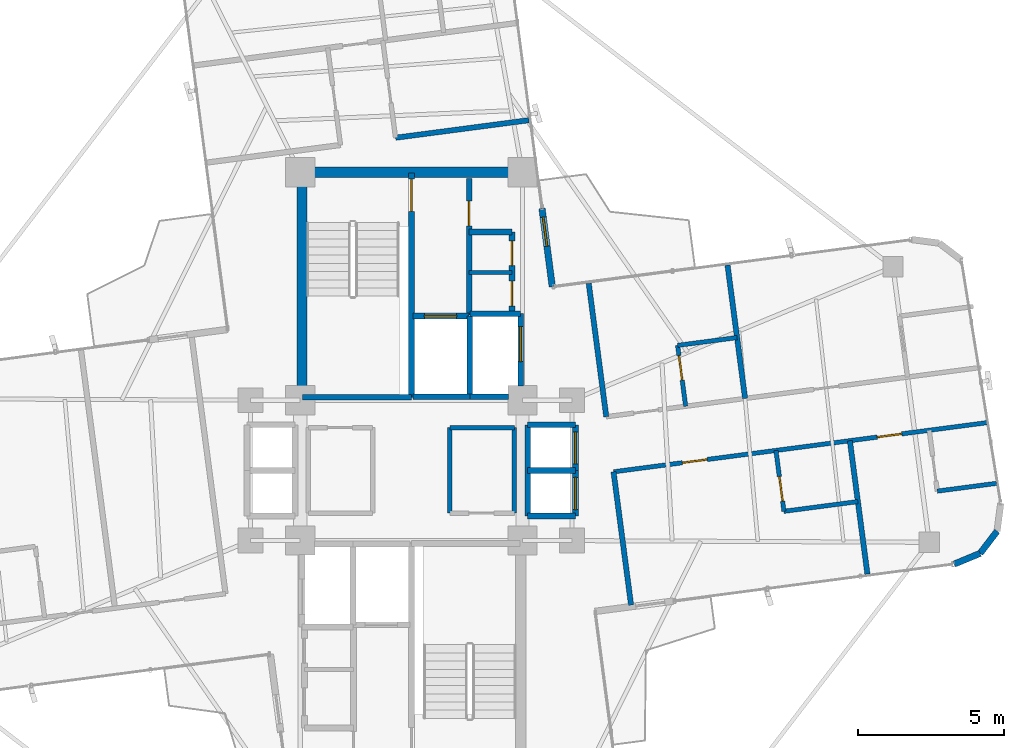
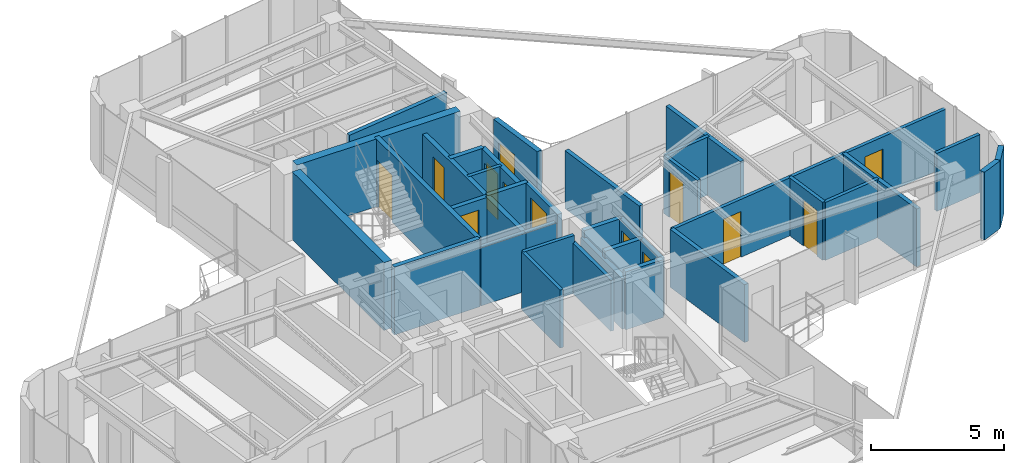
# One storey, part 20 of 22: 37 walls, 13 doors, 13 openings.
"""IFC4 building model written with IfcOpenShell, lengths in metres."""

from ifc_helpers import new_model, si_unit, direction, frame, frame_2d, origin, origin_2d, place, context, subcontext, project, spatial, rectangle, extrude, source, transform, mapped, material, layer, layer_set, type_object, element, fill, save


model = new_model("IFC4")

# Units and contexts
model_context = context("Model", 3, precision=1e-05, world=origin(), true_north=direction((0.0, 1.0)))
body_context = subcontext(model_context, "Body", "Model", "MODEL_VIEW")
ifc_project = project(units=[si_unit("LENGTHUNIT", "METRE"), si_unit("AREAUNIT", "SQUARE_METRE"), si_unit("VOLUMEUNIT", "CUBIC_METRE"), si_unit("PLANEANGLEUNIT", "RADIAN"), si_unit("MASSUNIT", "GRAM", prefix="KILO")], contexts=[model_context])

# Site, building, storey
site_placement = place(None, origin())
site = spatial("IfcSite", under=ifc_project, at=site_placement, CompositionType="ELEMENT")
building_placement = place(site_placement, origin())
building = spatial("IfcBuilding", under=site, at=building_placement, Name="Sahyath Konkavel Grand Hotel", CompositionType="ELEMENT")
storey_placement = place(building_placement, frame((0.0, 0.0, 272.449951171875)))
storey = spatial("IfcBuildingStorey", under=building, at=storey_placement, Name="L76", CompositionType="ELEMENT", Elevation=272.449951171875)

# Walls
ifc_material_1 = material(Name="Concrete C40/50", Category="concrete")
ifc_layer_1 = layer(ifc_material_1, 0.35009765625)
ifc_layer_set_1 = layer_set([ifc_layer_1], Name="Concrete C40/50")
wall_type_1 = type_object("IfcWallType", Name="CWALL-350", PredefinedType="SHEAR", material=ifc_layer_set_1)
wall_1_placement = place(storey_placement, frame((-3.550048828125, 10.199951171875, 0.0), z_axis=(0.0, 0.0, 1.0), x_axis=(1.0, 0.0, 0.0)))
element("IfcWall", 1, at=wall_1_placement, inside=storey, type_object=wall_type_1, Name="L76 North Core Shear Wall N", PredefinedType="SHEAR", context=body_context, shape_type="SweptSolid", body=[
    extrude(rectangle(XDim=7.10009765625, YDim=0.35009765625, at=frame_2d((3.550048828125, 0.0))), origin(), (0.0, 0.0, 1.0), 3.110107421875),
])
wall_2_placement = place(storey_placement, frame((-3.739990234375, 2.85009765625, 0.0), z_axis=(0.0, 0.0, 1.0), x_axis=(0.0, 1.0, 0.0)))
element("IfcWall", 2, at=wall_2_placement, inside=storey, type_object=wall_type_1, Name="L76 North Core Shear Wall W", PredefinedType="SHEAR", context=body_context, shape_type="SweptSolid", body=[
    extrude(rectangle(XDim=6.89990234375, YDim=0.35009765625, at=frame_2d((3.449951171875, 0.0))), origin(), (0.0, 0.0, 1.0), 3.110107421875),
])
ifc_material_2 = material(Name="Warm Buff Sandstone Insulated Concrete C40/50", Category="masonry")
ifc_layer_2 = layer(ifc_material_2, 0.219970703125)
ifc_layer_set_2 = layer_set([ifc_layer_2], Name="Warm Buff Sandstone Insulated Concrete C40/50")
wall_type_2 = type_object("IfcWallType", Name="WLL-BALC-THRESH", PredefinedType="STANDARD", material=ifc_layer_set_2)
wall_3_placement = place(storey_placement, frame((18.56689453125, -3.203857421875, 0.0), z_axis=(0.0, 0.0, 1.0), x_axis=(0.923926759112, 0.382569397359, 0.0)))
element("IfcWall", 3, at=wall_3_placement, inside=storey, type_object=wall_type_2, Name="L76 Rounded Corner Sandstone Pier 1", PredefinedType="STANDARD", context=body_context, shape_type="SweptSolid", body=[
    extrude(rectangle(XDim=0.957763671875, YDim=0.219970703125, at=frame_2d((0.47900390625, 0.0))), origin(), (0.0, 0.0, 1.0), 3.110107421875),
])
wall_4_placement = place(storey_placement, frame((19.451904296875, -2.83740234375, 0.0), z_axis=(0.0, 0.0, 1.0), x_axis=(0.60861352168, 0.793466811674, 0.0)))
element("IfcWall", 4, at=wall_4_placement, inside=storey, type_object=wall_type_2, Name="L76 Rounded Corner Sandstone Pier 2", PredefinedType="STANDARD", context=body_context, shape_type="SweptSolid", body=[
    extrude(rectangle(XDim=0.95751953125, YDim=0.219970703125, at=frame_2d((0.478759765625, 0.0))), origin(), (0.0, 0.0, 1.0), 3.110107421875),
])

# Wall, opening, door
wall_5_placement = place(storey_placement, frame((4.821044921875, 6.282958984375, 0.0), z_axis=(0.0, 0.0, 1.0), x_axis=(-0.130475563272, 0.991451525486, 0.0)))
wall_5 = element("IfcWall", 5, at=wall_5_placement, inside=storey, type_object=wall_type_2, Name="L76 Winter-Garden Threshold Wall 8", PredefinedType="STANDARD", context=body_context, shape_type="SweptSolid", body=[
    extrude(rectangle(XDim=2.7001953125, YDim=0.219970703125, at=frame_2d((1.35009765625, 0.0))), origin(), (0.0, 0.0, 1.0), 3.110107421875),
])
opening_1_placement = place(wall_5_placement, frame((1.39990234375, 0.0, 0.0)))
opening_1 = element("IfcOpeningElement", 6, at=opening_1_placement, cuts=wall_5, Name="Opening D-TR1", PredefinedType="OPENING", context=body_context, shape_type="SweptSolid", body=[
    extrude(rectangle(XDim=1.0, YDim=2.199951171875, at=frame_2d((0.5, 1.10009765625))), frame((0.0, 0.1201171875, 0.0), z_axis=(0.0, -1.0, 0.0), x_axis=(1.0, 0.0, 0.0)), (0.0, 0.0, 1.0), 0.239990234375),
])
ifc_material_3 = material(Name="Anodised Bronze Aluminium & Low-E Glazing", Category="aluminium")
door_type_1 = type_object("IfcDoorType", Name="DR-TERRACE-1000", OperationType="NOTDEFINED", PredefinedType="DOOR", material=ifc_material_3)
shared_shape_1 = source(origin(), body_context, "Body", "SweptSolid", [
    extrude(rectangle(XDim=1.0, YDim=0.050048828125, at=origin_2d()), origin(), (0.0, 0.0, 1.0), 2.199951171875),
])
door_1_placement = place(opening_1_placement, frame((0.5, 0.0, 0.0)))
door_1 = element("IfcDoor", 7, at=door_1_placement, inside=storey, type_object=door_type_1, Name="L76 Winter-Garden Terrace Door 8", OperationType="SINGLE_SWING_LEFT", OverallHeight=2.199951171875, OverallWidth=1.0, PredefinedType="DOOR", context=body_context, shape_type="MappedRepresentation", body=[
    mapped(shared_shape_1, transform((0.0, 0.0, 0.0), scale=1.0)),
])
fill(opening_1, door_1)

ifc_layer_3 = layer(ifc_material_1, 0.199951171875)
ifc_layer_set_3 = layer_set([ifc_layer_3], Name="Concrete C40/50")
wall_type_3 = type_object("IfcWallType", Name="WLL-CORE-200", PredefinedType="SOLIDWALL", material=ifc_layer_set_3)
wall_6_placement = place(storey_placement, frame((0.0, 2.5, 0.0), z_axis=(0.0, 0.0, 1.0), x_axis=(0.0, 1.0, 0.0)))
wall_6 = element("IfcWall", 8, at=wall_6_placement, inside=storey, type_object=wall_type_3, Name="L76 Stair ST-1 Shaft Wall E", PredefinedType="SOLIDWALL", context=body_context, shape_type="SweptSolid", body=[
    extrude(rectangle(XDim=7.679931640625, YDim=0.199951171875, at=frame_2d((3.83984375, 0.0))), origin(), (0.0, 0.0, 1.0), 3.110107421875),
])
opening_2_placement = place(wall_6_placement, frame((6.360107421875, 0.0, 0.0)))
opening_2 = element("IfcOpeningElement", 9, at=opening_2_placement, cuts=wall_6, Name="Opening D-F12B", PredefinedType="OPENING", context=body_context, shape_type="SweptSolid", body=[
    extrude(rectangle(XDim=1.10009765625, YDim=2.14990234375, at=frame_2d((0.550048828125, 1.074951171875))), frame((0.0, 0.10986328125, 0.0), z_axis=(0.0, -1.0, 0.0), x_axis=(1.0, 0.0, 0.0)), (0.0, 0.0, 1.0), 0.219970703125),
])
ifc_material_4 = material(Name="Steel E350 Smokeproof Fire Door", Category="steel")
door_type_2 = type_object("IfcDoorType", Name="DR-FD120-1100", OperationType="NOTDEFINED", PredefinedType="DOOR", material=ifc_material_4)
shared_shape_2 = source(origin(), body_context, "Body", "SweptSolid", [
    extrude(rectangle(XDim=1.10009765625, YDim=0.050048828125, at=origin_2d()), origin(), (0.0, 0.0, 1.0), 2.14990234375),
])
door_2_placement = place(opening_2_placement, frame((0.550048828125, 0.0, 0.0)))
door_2 = element("IfcDoor", 10, at=door_2_placement, inside=storey, type_object=door_type_2, Name="L76 Stair ST-1 Fire Door", OperationType="SINGLE_SWING_RIGHT", OverallHeight=2.14990234375, OverallWidth=1.10009765625, PredefinedType="DOOR", context=body_context, shape_type="MappedRepresentation", body=[
    mapped(shared_shape_2, transform((0.0, 0.0, 0.0), scale=1.0)),
])
fill(opening_2, door_2)

# Wall
wall_7_placement = place(storey_placement, frame((-3.719970703125, 2.5, 0.0), z_axis=(0.0, 0.0, 1.0), x_axis=(1.0, 0.0, 0.0)))
element("IfcWall", 11, at=wall_7_placement, inside=storey, type_object=wall_type_3, Name="L76 Stair ST-1 Shaft Wall S", PredefinedType="SOLIDWALL", context=body_context, shape_type="SweptSolid", body=[
    extrude(rectangle(XDim=3.719970703125, YDim=0.199951171875, at=frame_2d((1.85986328125, 0.0))), origin(), (0.0, 0.0, 1.0), 3.110107421875),
])

# Wall, opening, door
wall_8_placement = place(storey_placement, frame((1.97998046875, 5.320068359375, 0.0), z_axis=(0.0, 0.0, 1.0), x_axis=(0.0, 1.0, 0.0)))
wall_8 = element("IfcWall", 12, at=wall_8_placement, inside=storey, type_object=wall_type_3, Name="L76 North Firefighting Lobby Wall E", PredefinedType="SOLIDWALL", context=body_context, shape_type="SweptSolid", body=[
    extrude(rectangle(XDim=4.659912109375, YDim=0.199951171875, at=frame_2d((2.330078125, 0.0))), origin(), (0.0, 0.0, 1.0), 2.66015625),
])
opening_3_placement = place(wall_8_placement, frame((3.0400390625, 0.0, 0.0)))
opening_3 = element("IfcOpeningElement", 13, at=opening_3_placement, cuts=wall_8, Name="Opening D-F12D", PredefinedType="OPENING", context=body_context, shape_type="SweptSolid", body=[
    extrude(rectangle(XDim=0.85009765625, YDim=2.10009765625, at=frame_2d((0.425048828125, 1.050048828125))), frame((0.0, 0.10986328125, 0.0), z_axis=(0.0, -1.0, 0.0), x_axis=(1.0, 0.0, 0.0)), (0.0, 0.0, 1.0), 0.219970703125),
])
ifc_material_5 = material(Name="Steel E350 Core Fire Door", Category="steel")
door_type_3 = type_object("IfcDoorType", Name="DR-FD120-850", OperationType="NOTDEFINED", PredefinedType="DOOR", material=ifc_material_5)
shared_shape_3 = source(origin(), body_context, "Body", "SweptSolid", [
    extrude(rectangle(XDim=0.85009765625, YDim=0.050048828125, at=origin_2d()), origin(), (0.0, 0.0, 1.0), 2.10009765625),
])
door_3_placement = place(opening_3_placement, frame((0.425048828125, 0.0, 0.0)))
door_3 = element("IfcDoor", 14, at=door_3_placement, inside=storey, type_object=door_type_3, Name="L76 North Firefighting Lobby Door", OperationType="SINGLE_SWING_RIGHT", OverallHeight=2.10009765625, OverallWidth=0.85009765625, PredefinedType="DOOR", context=body_context, shape_type="MappedRepresentation", body=[
    mapped(shared_shape_3, transform((0.0, 0.0, 0.0), scale=1.0)),
])
fill(opening_3, door_3)

# Walls
wall_9_placement = place(storey_placement, frame((2.0, 2.5, 0.0), z_axis=(0.0, 0.0, 1.0), x_axis=(0.0, 1.0, 0.0)))
element("IfcWall", 15, at=wall_9_placement, inside=storey, type_object=wall_type_3, Name="L76 Partition SH-FFL1-E", PredefinedType="SOLIDWALL", context=body_context, shape_type="SweptSolid", body=[
    extrude(rectangle(XDim=2.780029296875, YDim=0.199951171875, at=frame_2d((1.39013671875, 0.0))), origin(), (0.0, 0.0, 1.0), 2.66015625),
])
wall_10_placement = place(storey_placement, frame((0.050048828125, 2.52001953125, 0.0), z_axis=(0.0, 0.0, 1.0), x_axis=(1.0, 0.0, 0.0)))
element("IfcWall", 16, at=wall_10_placement, inside=storey, type_object=wall_type_3, Name="L76 Partition SH-FFL1-S", PredefinedType="SOLIDWALL", context=body_context, shape_type="SweptSolid", body=[
    extrude(rectangle(XDim=1.949951171875, YDim=0.199951171875, at=frame_2d((0.97509765625, 0.0))), origin(), (0.0, 0.0, 1.0), 2.66015625),
])

# Wall, opening, door
wall_11_placement = place(storey_placement, frame((0.050048828125, 5.280029296875, 0.0), z_axis=(0.0, 0.0, 1.0), x_axis=(1.0, 0.0, 0.0)))
wall_11 = element("IfcWall", 17, at=wall_11_placement, inside=storey, type_object=wall_type_3, Name="L76 Partition SH-FFL1-N", PredefinedType="SOLIDWALL", context=body_context, shape_type="SweptSolid", body=[
    extrude(rectangle(XDim=1.929931640625, YDim=0.199951171875, at=frame_2d((0.96484375, 0.0))), origin(), (0.0, 0.0, 1.0), 2.66015625),
])
opening_4_placement = place(wall_11_placement, frame((0.39990234375, 0.0, 0.0)))
opening_4 = element("IfcOpeningElement", 18, at=opening_4_placement, cuts=wall_11, Name="Opening LD-11", PredefinedType="OPENING", context=body_context, shape_type="SweptSolid", body=[
    extrude(rectangle(XDim=1.10009765625, YDim=2.199951171875, at=frame_2d((0.550048828125, 1.10009765625))), frame((0.0, 0.10986328125, 0.0), z_axis=(0.0, -1.0, 0.0), x_axis=(1.0, 0.0, 0.0)), (0.0, 0.0, 1.0), 0.219970703125),
])
ifc_material_6 = material(Name="Bronze Lift Landing Door 1100")
door_type_4 = type_object("IfcDoorType", Name="DR-LIFT-1100", OperationType="DOUBLE_DOOR_SLIDING", PredefinedType="DOOR", material=ifc_material_6)
shared_shape_4 = source(origin(), body_context, "Body", "SweptSolid", [
    extrude(rectangle(XDim=1.10009765625, YDim=0.050048828125, at=origin_2d()), origin(), (0.0, 0.0, 1.0), 2.199951171875),
])
door_4_placement = place(opening_4_placement, frame((0.550048828125, 0.0, 0.0)))
door_4 = element("IfcDoor", 19, at=door_4_placement, inside=storey, type_object=door_type_4, Name="L76 Lift FFL-1 Landing Door", OperationType="DOUBLE_DOOR_SLIDING", OverallHeight=2.199951171875, OverallWidth=1.10009765625, PredefinedType="DOOR", context=body_context, shape_type="MappedRepresentation", body=[
    mapped(shared_shape_4, transform((0.0, 0.0, 0.0), scale=1.0)),
])
fill(opening_4, door_4)

# Walls
wall_12_placement = place(storey_placement, frame((2.0, 2.52001953125, 0.0), z_axis=(0.0, 0.0, 1.0), x_axis=(1.0, 0.0, 0.0)))
element("IfcWall", 20, at=wall_12_placement, inside=storey, type_object=wall_type_3, Name="L76 Partition SH-SVL1-S", PredefinedType="SOLIDWALL", context=body_context, shape_type="SweptSolid", body=[
    extrude(rectangle(XDim=1.320068359375, YDim=0.199951171875, at=frame_2d((0.66015625, 0.0))), origin(), (0.0, 0.0, 1.0), 2.66015625),
])
wall_13_placement = place(storey_placement, frame((2.0, 5.360107421875, 0.0), z_axis=(0.0, 0.0, 1.0), x_axis=(1.0, 0.0, 0.0)))
element("IfcWall", 21, at=wall_13_placement, inside=storey, type_object=wall_type_3, Name="L76 Partition SH-SVL1-N", PredefinedType="SOLIDWALL", context=body_context, shape_type="SweptSolid", body=[
    extrude(rectangle(XDim=1.739990234375, YDim=0.199951171875, at=frame_2d((0.8701171875, 0.0))), origin(), (0.0, 0.0, 1.0), 2.66015625),
])

# Wall, opening, door
wall_14_placement = place(storey_placement, frame((3.739990234375, 2.8798828125, 0.0), z_axis=(0.0, 0.0, 1.0), x_axis=(0.0, 1.0, 0.0)))
wall_14 = element("IfcWall", 22, at=wall_14_placement, inside=storey, type_object=wall_type_3, Name="L76 Partition SH-SVL1-E", PredefinedType="SOLIDWALL", context=body_context, shape_type="SweptSolid", body=[
    extrude(rectangle(XDim=2.480224609375, YDim=0.199951171875, at=frame_2d((1.240234375, 0.0))), origin(), (0.0, 0.0, 1.0), 2.66015625),
])
opening_5_placement = place(wall_14_placement, frame((0.840087890625, 0.0, 0.0)))
opening_5 = element("IfcOpeningElement", 23, at=opening_5_placement, cuts=wall_14, Name="Opening LD-12", PredefinedType="OPENING", context=body_context, shape_type="SweptSolid", body=[
    extrude(rectangle(XDim=1.199951171875, YDim=2.199951171875, at=frame_2d((0.60009765625, 1.10009765625))), frame((0.0, 0.10986328125, 0.0), z_axis=(0.0, -1.0, 0.0), x_axis=(1.0, 0.0, 0.0)), (0.0, 0.0, 1.0), 0.219970703125),
])
ifc_material_7 = material(Name="Stainless Steel Lift Landing Door 1200", Category="steel")
door_type_5 = type_object("IfcDoorType", Name="DR-LIFT-1200", OperationType="DOUBLE_DOOR_SLIDING", PredefinedType="DOOR", material=ifc_material_7)
shared_shape_5 = source(origin(), body_context, "Body", "SweptSolid", [
    extrude(rectangle(XDim=1.199951171875, YDim=0.050048828125, at=origin_2d()), origin(), (0.0, 0.0, 1.0), 2.199951171875),
])
door_5_placement = place(opening_5_placement, frame((0.60009765625, 0.0, 0.0)))
door_5 = element("IfcDoor", 24, at=door_5_placement, inside=storey, type_object=door_type_5, Name="L76 Service Lift SVL-1 Landing Door", OperationType="DOUBLE_DOOR_SLIDING", OverallHeight=2.199951171875, OverallWidth=1.199951171875, PredefinedType="DOOR", context=body_context, shape_type="MappedRepresentation", body=[
    mapped(shared_shape_5, transform((0.0, 0.0, 0.0), scale=1.0)),
])
fill(opening_5, door_5)

# Walls
wall_15_placement = place(storey_placement, frame((3.97998046875, -1.56005859375, 0.0), z_axis=(0.0, 0.0, 1.0), x_axis=(0.0, 1.0, 0.0)))
element("IfcWall", 25, at=wall_15_placement, inside=storey, type_object=wall_type_3, Name="L76 Partition SH-PL56-W", PredefinedType="SOLIDWALL", context=body_context, shape_type="SweptSolid", body=[
    extrude(rectangle(XDim=3.1201171875, YDim=0.199951171875, at=frame_2d((1.56005859375, 0.0))), origin(), (0.0, 0.0, 1.0), 2.330078125),
])
for number, where, z_axis, x_axis, name in (
    (26, (3.97998046875, 1.56005859375, 0.0), (0.0, 0.0, 1.0), (1.0, 0.0, 0.0), "L76 Partition SH-PL56-N"),
    (27, (3.97998046875, -1.56005859375, 0.0), (0.0, 0.0, 1.0), (1.0, 0.0, 0.0), "L76 Partition SH-PL56-S"),
    (28, (3.97998046875, 0.0, 0.0), (0.0, 0.0, 1.0), (1.0, 0.0, 0.0), "L76 Partition SH-PL56-M"),
):
    element("IfcWall", number, at=place(storey_placement, frame(where, z_axis=z_axis, x_axis=x_axis)), inside=storey, type_object=wall_type_3, Name=name, PredefinedType="SOLIDWALL", context=body_context, shape_type="SweptSolid", body=[
        extrude(rectangle(XDim=1.64013671875, YDim=0.199951171875, at=frame_2d((0.820068359375, 0.0))), origin(), (0.0, 0.0, 1.0), 2.66015625),
    ])

# Wall, opening, door
wall_16_placement = place(storey_placement, frame((5.6201171875, 0.0, 0.0), z_axis=(0.0, 0.0, 1.0), x_axis=(0.0, 1.0, 0.0)))
wall_16 = element("IfcWall", 29, at=wall_16_placement, inside=storey, type_object=wall_type_3, Name="L76 Partition SH-PL5-E", PredefinedType="SOLIDWALL", context=body_context, shape_type="SweptSolid", body=[
    extrude(rectangle(XDim=1.56005859375, YDim=0.199951171875, at=frame_2d((0.780029296875, 0.0))), origin(), (0.0, 0.0, 1.0), 2.66015625),
])
opening_6_placement = place(wall_16_placement, frame((0.219970703125, 0.0, 0.0)))
opening_6 = element("IfcOpeningElement", 30, at=opening_6_placement, cuts=wall_16, Name="Opening LD-11", PredefinedType="OPENING", context=body_context, shape_type="SweptSolid", body=[
    extrude(rectangle(XDim=1.10009765625, YDim=2.199951171875, at=frame_2d((0.550048828125, 1.10009765625))), frame((0.0, 0.10986328125, 0.0), z_axis=(0.0, -1.0, 0.0), x_axis=(1.0, 0.0, 0.0)), (0.0, 0.0, 1.0), 0.219970703125),
])
door_6_placement = place(opening_6_placement, frame((0.550048828125, 0.0, 0.0)))
door_6 = element("IfcDoor", 31, at=door_6_placement, inside=storey, type_object=door_type_4, Name="L76 High-Rise Lift PL-5 Landing Door", OperationType="DOUBLE_DOOR_SLIDING", OverallHeight=2.199951171875, OverallWidth=1.10009765625, PredefinedType="DOOR", context=body_context, shape_type="MappedRepresentation", body=[
    mapped(shared_shape_4, transform((0.0, 0.0, 0.0), scale=1.0)),
])
fill(opening_6, door_6)

wall_17_placement = place(storey_placement, frame((5.6201171875, -1.56005859375, 0.0), z_axis=(0.0, 0.0, 1.0), x_axis=(0.0, 1.0, 0.0)))
wall_17 = element("IfcWall", 32, at=wall_17_placement, inside=storey, type_object=wall_type_3, Name="L76 Partition SH-PL6-E", PredefinedType="SOLIDWALL", context=body_context, shape_type="SweptSolid", body=[
    extrude(rectangle(XDim=1.56005859375, YDim=0.199951171875, at=frame_2d((0.780029296875, 0.0))), origin(), (0.0, 0.0, 1.0), 2.66015625),
])
opening_7_placement = place(wall_17_placement, frame((0.219970703125, 0.0, 0.0)))
opening_7 = element("IfcOpeningElement", 33, at=opening_7_placement, cuts=wall_17, Name="Opening LD-11", PredefinedType="OPENING", context=body_context, shape_type="SweptSolid", body=[
    extrude(rectangle(XDim=1.10009765625, YDim=2.199951171875, at=frame_2d((0.550048828125, 1.10009765625))), frame((0.0, 0.10986328125, 0.0), z_axis=(0.0, -1.0, 0.0), x_axis=(1.0, 0.0, 0.0)), (0.0, 0.0, 1.0), 0.219970703125),
])
door_7_placement = place(opening_7_placement, frame((0.550048828125, 0.0, 0.0)))
door_7 = element("IfcDoor", 34, at=door_7_placement, inside=storey, type_object=door_type_4, Name="L76 High-Rise Lift PL-6 Landing Door", OperationType="DOUBLE_DOOR_SLIDING", OverallHeight=2.199951171875, OverallWidth=1.10009765625, PredefinedType="DOOR", context=body_context, shape_type="MappedRepresentation", body=[
    mapped(shared_shape_4, transform((0.0, 0.0, 0.0), scale=1.0)),
])
fill(opening_7, door_7)

# Wall, openings, doors
wall_18_placement = place(storey_placement, frame((3.43994140625, 5.3798828125, 0.0), z_axis=(0.0, 0.0, 1.0), x_axis=(0.0, 1.0, 0.0)))
wall_18 = element("IfcWall", 35, at=wall_18_placement, inside=storey, type_object=wall_type_3, Name="L76 Reclaimed North Core Wall E", PredefinedType="SOLIDWALL", context=body_context, shape_type="SweptSolid", body=[
    extrude(rectangle(XDim=2.77001953125, YDim=0.199951171875, at=frame_2d((1.385009765625, 0.0))), origin(), (0.0, 0.0, 1.0), 2.66015625),
])
opening_8_placement = place(wall_18_placement, frame((0.239990234375, 0.0, 0.0)))
opening_8 = element("IfcOpeningElement", 36, at=opening_8_placement, cuts=wall_18, Name="Opening D-F06D", PredefinedType="OPENING", context=body_context, shape_type="SweptSolid", body=[
    extrude(rectangle(XDim=0.85009765625, YDim=2.10009765625, at=frame_2d((0.425048828125, 1.050048828125))), frame((0.0, 0.10986328125, 0.0), z_axis=(0.0, -1.0, 0.0), x_axis=(1.0, 0.0, 0.0)), (0.0, 0.0, 1.0), 0.219970703125),
])
opening_9_placement = place(wall_18_placement, frame((1.6201171875, 0.0, 0.0)))
opening_9 = element("IfcOpeningElement", 37, at=opening_9_placement, cuts=wall_18, Name="Opening D-F06D", PredefinedType="OPENING", context=body_context, shape_type="SweptSolid", body=[
    extrude(rectangle(XDim=0.85009765625, YDim=2.10009765625, at=frame_2d((0.425048828125, 1.050048828125))), frame((0.0, 0.10986328125, 0.0), z_axis=(0.0, -1.0, 0.0), x_axis=(1.0, 0.0, 0.0)), (0.0, 0.0, 1.0), 0.219970703125),
])
ifc_material_8 = material(Name="Fire-Rated Shaft Access Door")
door_type_6 = type_object("IfcDoorType", Name="DR-FD60-850", OperationType="NOTDEFINED", PredefinedType="DOOR", material=ifc_material_8)
door_8_placement = place(opening_8_placement, frame((0.425048828125, 0.0, 0.0)))
door_8 = element("IfcDoor", 38, at=door_8_placement, inside=storey, type_object=door_type_6, Name="L76 Door NC-REC1-D", OperationType="SINGLE_SWING_RIGHT", OverallHeight=2.10009765625, OverallWidth=0.85009765625, PredefinedType="DOOR", context=body_context, shape_type="MappedRepresentation", body=[
    mapped(shared_shape_3, transform((0.0, 0.0, 0.0), scale=1.0)),
])
fill(opening_8, door_8)
door_9_placement = place(opening_9_placement, frame((0.425048828125, 0.0, 0.0)))
door_9 = element("IfcDoor", 39, at=door_9_placement, inside=storey, type_object=door_type_6, Name="L76 Door NC-REC2-D", OperationType="SINGLE_SWING_LEFT", OverallHeight=2.10009765625, OverallWidth=0.85009765625, PredefinedType="DOOR", context=body_context, shape_type="MappedRepresentation", body=[
    mapped(shared_shape_3, transform((0.0, 0.0, 0.0), scale=1.0)),
])
fill(opening_9, door_9)

# Walls
wall_19_placement = place(storey_placement, frame((1.97998046875, 8.14990234375, 0.0), z_axis=(0.0, 0.0, 1.0), x_axis=(1.0, 0.0, 0.0)))
element("IfcWall", 40, at=wall_19_placement, inside=storey, type_object=wall_type_3, Name="L76 Partition NC-REC-N", PredefinedType="SOLIDWALL", context=body_context, shape_type="SweptSolid", body=[
    extrude(rectangle(XDim=1.4599609375, YDim=0.199951171875, at=frame_2d((0.72998046875, 0.0))), origin(), (0.0, 0.0, 1.0), 2.66015625),
])
ifc_material_9 = material(Name="Twin-Stud Acoustic Gypsum Plasterboard Partition")
ifc_layer_4 = layer(ifc_material_9, 0.179931640625)
ifc_layer_set_4 = layer_set([ifc_layer_4], Name="Twin-Stud Acoustic Gypsum Plasterboard Partition")
wall_type_4 = type_object("IfcWallType", Name="WLL-DEMISE-180", PredefinedType="PARTITIONING", material=ifc_layer_set_4)
for number, where, z_axis, x_axis, name in (
    (41, (6.66748046875, 1.8359375, 0.0), (0.0, 0.0, 1.0), (-0.130564346904, 0.991439837467, 0.0), "L76 Partition E-INL"),
    (42, (7.515869140625, -4.6083984375, 0.0), (0.0, 0.0, 1.0), (-0.130564346904, 0.991439837467, 0.0), "L76 Partition E-INR"),
    (43, (11.414306640625, 2.4609375, 0.0), (0.0, 0.0, 1.0), (-0.130512176195, 0.991446706518, 0.0), "L76 Partition E-E1L-DEM"),
):
    element("IfcWall", number, at=place(storey_placement, frame(where, z_axis=z_axis, x_axis=x_axis)), inside=storey, type_object=wall_type_4, Name=name, PredefinedType="PARTITIONING", context=body_context, shape_type="SweptSolid", body=[
        extrude(rectangle(XDim=4.599853515625, YDim=0.179931640625, at=frame_2d((2.2998046875, 0.0))), origin(), (0.0, 0.0, 1.0), 2.66015625),
    ])
wall_20_placement = place(storey_placement, frame((14.997802734375, 1.016357421875, 0.0), z_axis=(0.0, 0.0, 1.0), x_axis=(0.130505308828, -0.991447610501, 0.0)))
element("IfcWall", 44, at=wall_20_placement, inside=storey, type_object=wall_type_4, Name="L76 Partition E-E1R-DEM", PredefinedType="PARTITIONING", context=body_context, shape_type="SweptSolid", body=[
    extrude(rectangle(XDim=4.60009765625, YDim=0.179931640625, at=frame_2d((2.300048828125, 0.0))), origin(), (0.0, 0.0, 1.0), 2.66015625),
])
wall_21_placement = place(storey_placement, frame((4.02099609375, 11.977294921875, 0.0), z_axis=(0.0, 0.0, 1.0), x_axis=(-0.991446706518, -0.130512176195, 0.0)))
element("IfcWall", 45, at=wall_21_placement, inside=storey, type_object=wall_type_4, Name="L76 Partition N-INR", PredefinedType="PARTITIONING", context=body_context, shape_type="SweptSolid", body=[
    extrude(rectangle(XDim=4.599853515625, YDim=0.179931640625, at=frame_2d((2.2998046875, 0.0))), origin(), (0.0, 0.0, 1.0), 2.66015625),
])
ifc_material_10 = material(Name="Fire-Rated Gypsum Plasterboard Partition")
ifc_layer_5 = layer(ifc_material_10, 0.14990234375)
ifc_layer_set_5 = layer_set([ifc_layer_5], Name="Fire-Rated Gypsum Plasterboard Partition")
wall_type_5 = type_object("IfcWallType", Name="WLL-PART-150", PredefinedType="PARTITIONING", material=ifc_layer_set_5)
wall_22_placement = place(storey_placement, frame((1.97998046875, 6.77001953125, 0.0), z_axis=(0.0, 0.0, 1.0), x_axis=(1.0, 0.0, 0.0)))
element("IfcWall", 46, at=wall_22_placement, inside=storey, type_object=wall_type_5, Name="L76 Partition NC-REC-M1", PredefinedType="PARTITIONING", context=body_context, shape_type="SweptSolid", body=[
    extrude(rectangle(XDim=1.4599609375, YDim=0.14990234375, at=frame_2d((0.72998046875, 0.0))), origin(), (0.0, 0.0, 1.0), 2.66015625),
])
wall_23_placement = place(storey_placement, frame((1.320068359375, -1.4599609375, 0.0), z_axis=(0.0, 0.0, 1.0), x_axis=(0.0, 1.0, 0.0)))
element("IfcWall", 47, at=wall_23_placement, inside=storey, type_object=wall_type_5, Name="L76 Partition CC-1EI", PredefinedType="PARTITIONING", context=body_context, shape_type="SweptSolid", body=[
    extrude(rectangle(XDim=2.919921875, YDim=0.14990234375, at=frame_2d((1.4599609375, 0.0))), origin(), (0.0, 0.0, 1.0), 2.66015625),
])
wall_24_placement = place(storey_placement, frame((3.52001953125, -1.4599609375, 0.0), z_axis=(0.0, 0.0, 1.0), x_axis=(0.0, 1.0, 0.0)))
element("IfcWall", 48, at=wall_24_placement, inside=storey, type_object=wall_type_5, Name="L76 Partition CC-1EO", PredefinedType="PARTITIONING", context=body_context, shape_type="SweptSolid", body=[
    extrude(rectangle(XDim=2.919921875, YDim=0.14990234375, at=frame_2d((1.4599609375, 0.0))), origin(), (0.0, 0.0, 1.0), 2.330078125),
])
wall_25_placement = place(storey_placement, frame((1.320068359375, 1.4599609375, 0.0), z_axis=(0.0, 0.0, 1.0), x_axis=(1.0, 0.0, 0.0)))
element("IfcWall", 49, at=wall_25_placement, inside=storey, type_object=wall_type_5, Name="L76 Partition CC-1EN", PredefinedType="PARTITIONING", context=body_context, shape_type="SweptSolid", body=[
    extrude(rectangle(XDim=2.199951171875, YDim=0.14990234375, at=frame_2d((1.10009765625, 0.0))), origin(), (0.0, 0.0, 1.0), 2.66015625),
])

# Wall, openings, doors
wall_26_placement = place(storey_placement, frame((6.915283203125, -0.0478515625, 0.0), z_axis=(0.0, 0.0, 1.0), x_axis=(0.991445367007, 0.1305223515, 0.0)))
wall_26 = element("IfcWall", 50, at=wall_26_placement, inside=storey, type_object=wall_type_5, Name="L76 Partition E-CR", PredefinedType="PARTITIONING", context=body_context, shape_type="SweptSolid", body=[
    extrude(rectangle(XDim=12.93994140625, YDim=0.14990234375, at=frame_2d((6.469970703125, 0.0))), origin(), (0.0, 0.0, 1.0), 2.66015625),
])
opening_10_placement = place(wall_26_placement, frame((2.3759765625, 0.0, 0.0)))
opening_10 = element("IfcOpeningElement", 51, at=opening_10_placement, cuts=wall_26, Name="Opening D-F06D", PredefinedType="OPENING", context=body_context, shape_type="SweptSolid", body=[
    extrude(rectangle(XDim=0.85009765625, YDim=2.10009765625, at=frame_2d((0.425048828125, 1.050048828125))), frame((0.0, 0.0849609375, 0.0), z_axis=(0.0, -1.0, 0.0), x_axis=(1.0, 0.0, 0.0)), (0.0, 0.0, 1.0), 0.169921875),
])
opening_11_placement = place(wall_26_placement, frame((9.095947265625, 0.0, 0.0)))
opening_11 = element("IfcOpeningElement", 52, at=opening_11_placement, cuts=wall_26, Name="Opening D-F06D", PredefinedType="OPENING", context=body_context, shape_type="SweptSolid", body=[
    extrude(rectangle(XDim=0.85009765625, YDim=2.10009765625, at=frame_2d((0.425048828125, 1.050048828125))), frame((0.0, 0.0849609375, 0.0), z_axis=(0.0, -1.0, 0.0), x_axis=(1.0, 0.0, 0.0)), (0.0, 0.0, 1.0), 0.169921875),
])
door_10_placement = place(opening_10_placement, frame((0.425048828125, 0.0, 0.0)))
door_10 = element("IfcDoor", 53, at=door_10_placement, inside=storey, type_object=door_type_6, Name="L76 Door E-E1R-ED", OperationType="SINGLE_SWING_LEFT", OverallHeight=2.10009765625, OverallWidth=0.85009765625, PredefinedType="DOOR", context=body_context, shape_type="MappedRepresentation", body=[
    mapped(shared_shape_3, transform((0.0, 0.0, 0.0), scale=1.0)),
])
fill(opening_10, door_10)
door_11_placement = place(opening_11_placement, frame((0.425048828125, 0.0, 0.0)))
door_11 = element("IfcDoor", 54, at=door_11_placement, inside=storey, type_object=door_type_6, Name="L76 Door E-E2R-ED", OperationType="SINGLE_SWING_LEFT", OverallHeight=2.10009765625, OverallWidth=0.85009765625, PredefinedType="DOOR", context=body_context, shape_type="MappedRepresentation", body=[
    mapped(shared_shape_3, transform((0.0, 0.0, 0.0), scale=1.0)),
])
fill(opening_11, door_11)

# Wall, opening, door
wall_27_placement = place(storey_placement, frame((9.382080078125, 2.193359375, 0.0), z_axis=(0.0, 0.0, 1.0), x_axis=(-0.130556761174, 0.991440836415, 0.0)))
wall_27 = element("IfcWall", 55, at=wall_27_placement, inside=storey, type_object=wall_type_5, Name="L76 Partition E-E1L-BS", PredefinedType="PARTITIONING", context=body_context, shape_type="SweptSolid", body=[
    extrude(rectangle(XDim=2.10009765625, YDim=0.14990234375, at=frame_2d((1.050048828125, 0.0))), origin(), (0.0, 0.0, 1.0), 2.66015625),
])
opening_12_placement = place(wall_27_placement, frame((0.89990234375, 0.0, 0.0)))
opening_12 = element("IfcOpeningElement", 56, at=opening_12_placement, cuts=wall_27, Name="Opening D-BT85", PredefinedType="OPENING", context=body_context, shape_type="SweptSolid", body=[
    extrude(rectangle(XDim=0.85009765625, YDim=2.10009765625, at=frame_2d((0.425048828125, 1.050048828125))), frame((0.0, 0.0849609375, 0.0), z_axis=(0.0, -1.0, 0.0), x_axis=(1.0, 0.0, 0.0)), (0.0, 0.0, 1.0), 0.169921875),
])
ifc_material_11 = material(Name="Moisture-Resistant Teak Bathroom Door")
door_type_7 = type_object("IfcDoorType", Name="DR-BATH-850", OperationType="NOTDEFINED", PredefinedType="DOOR", material=ifc_material_11)
door_12_placement = place(opening_12_placement, frame((0.425048828125, 0.0, 0.0)))
door_12 = element("IfcDoor", 57, at=door_12_placement, inside=storey, type_object=door_type_7, Name="L76 Door E-E1L-BD", OperationType="SINGLE_SWING_RIGHT", OverallHeight=2.10009765625, OverallWidth=0.85009765625, PredefinedType="DOOR", context=body_context, shape_type="MappedRepresentation", body=[
    mapped(shared_shape_3, transform((0.0, 0.0, 0.0), scale=1.0)),
])
fill(opening_12, door_12)

# Wall
wall_28_placement = place(storey_placement, frame((9.10791015625, 4.275390625, 0.0), z_axis=(0.0, 0.0, 1.0), x_axis=(0.991444969909, 0.13052536781, 0.0)))
element("IfcWall", 58, at=wall_28_placement, inside=storey, type_object=wall_type_5, Name="L76 Partition E-E1L-BF", PredefinedType="PARTITIONING", context=body_context, shape_type="SweptSolid", body=[
    extrude(rectangle(XDim=2.050048828125, YDim=0.14990234375, at=frame_2d((1.02490234375, 0.0))), origin(), (0.0, 0.0, 1.0), 2.66015625),
])

# Wall, opening, door
wall_29_placement = place(storey_placement, frame((12.469482421875, 0.683349609375, 0.0), z_axis=(0.0, 0.0, 1.0), x_axis=(0.130556761174, -0.991440836415, 0.0)))
wall_29 = element("IfcWall", 59, at=wall_29_placement, inside=storey, type_object=wall_type_5, Name="L76 Partition E-E1R-BS", PredefinedType="PARTITIONING", context=body_context, shape_type="SweptSolid", body=[
    extrude(rectangle(XDim=2.10009765625, YDim=0.14990234375, at=frame_2d((1.050048828125, 0.0))), origin(), (0.0, 0.0, 1.0), 2.66015625),
])
opening_13_placement = place(wall_29_placement, frame((0.89990234375, 0.0, 0.0)))
opening_13 = element("IfcOpeningElement", 60, at=opening_13_placement, cuts=wall_29, Name="Opening D-BT85", PredefinedType="OPENING", context=body_context, shape_type="SweptSolid", body=[
    extrude(rectangle(XDim=0.85009765625, YDim=2.10009765625, at=frame_2d((0.425048828125, 1.050048828125))), frame((0.0, 0.0849609375, 0.0), z_axis=(0.0, -1.0, 0.0), x_axis=(1.0, 0.0, 0.0)), (0.0, 0.0, 1.0), 0.169921875),
])
door_13_placement = place(opening_13_placement, frame((0.425048828125, 0.0, 0.0)))
door_13 = element("IfcDoor", 61, at=door_13_placement, inside=storey, type_object=door_type_7, Name="L76 Door E-E1R-BD", OperationType="SINGLE_SWING_RIGHT", OverallHeight=2.10009765625, OverallWidth=0.85009765625, PredefinedType="DOOR", context=body_context, shape_type="MappedRepresentation", body=[
    mapped(shared_shape_3, transform((0.0, 0.0, 0.0), scale=1.0)),
])
fill(opening_13, door_13)

# Walls
wall_30_placement = place(storey_placement, frame((12.74365234375, -1.398681640625, 0.0), z_axis=(0.0, 0.0, 1.0), x_axis=(0.991448102558, 0.130501570622, 0.0)))
element("IfcWall", 62, at=wall_30_placement, inside=storey, type_object=wall_type_5, Name="L76 Partition E-E1R-BF", PredefinedType="PARTITIONING", context=body_context, shape_type="SweptSolid", body=[
    extrude(rectangle(XDim=2.5498046875, YDim=0.14990234375, at=frame_2d((1.27490234375, 0.0))), origin(), (0.0, 0.0, 1.0), 2.66015625),
])
wall_31_placement = place(storey_placement, frame((17.986328125, -0.70849609375, 0.0), z_axis=(0.0, 0.0, 1.0), x_axis=(0.991444969909, 0.13052536781, 0.0)))
element("IfcWall", 63, at=wall_31_placement, inside=storey, type_object=wall_type_5, Name="L76 Partition E-E2R-BF", PredefinedType="PARTITIONING", context=body_context, shape_type="SweptSolid", body=[
    extrude(rectangle(XDim=2.050048828125, YDim=0.14990234375, at=frame_2d((1.02490234375, 0.0))), origin(), (0.0, 0.0, 1.0), 2.66015625),
])

save(model, "model.ifc")
